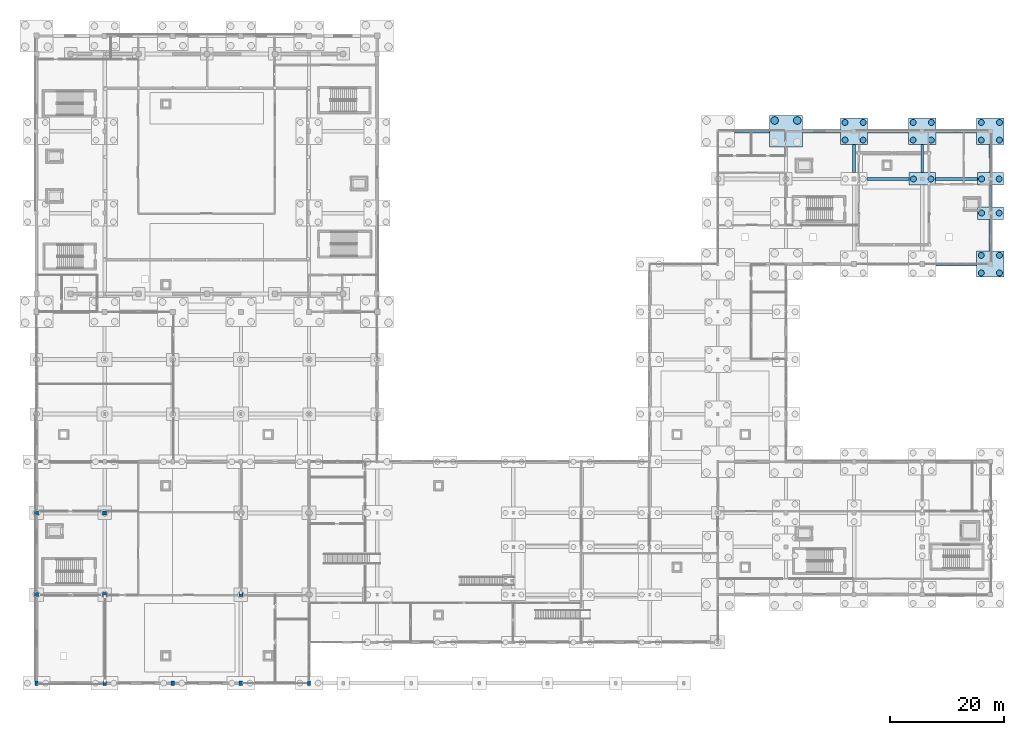
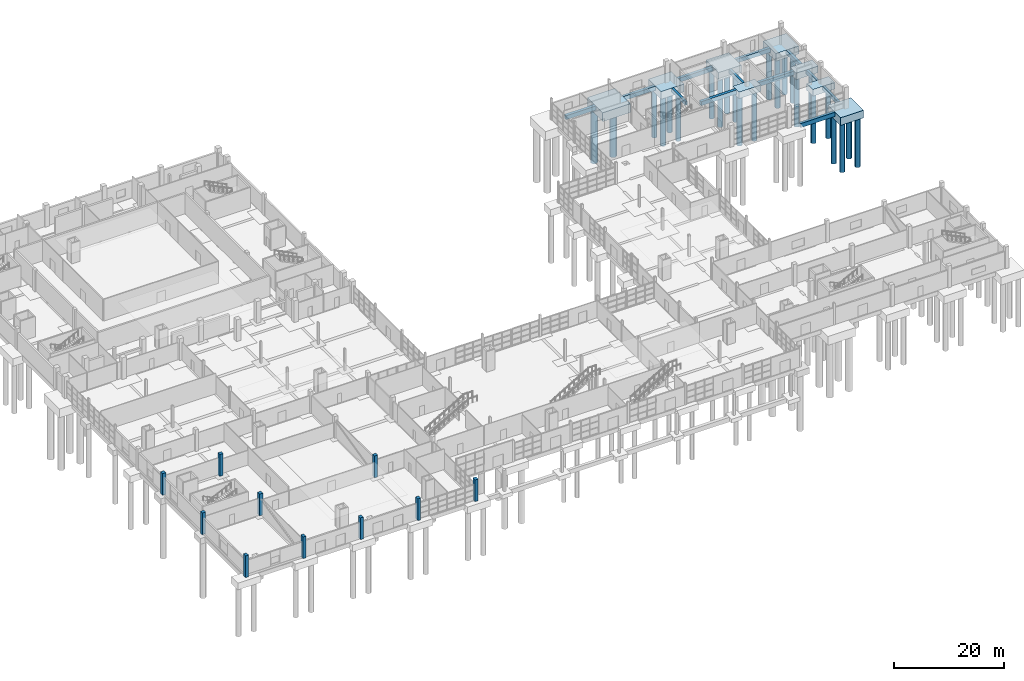
# One storey, part 6 of 82: 24 piles, 20 footings, 10 columns.
"""IFC4 building model written with IfcOpenShell, lengths in metres."""

import ifcopenshell
import ifcopenshell.guid

model = None  # the IFC model being written
_history = None  # IfcOwnerHistory: only IFC2X3 demands one
_inside = {}  # id of a spatial element -> (the spatial element, [elements in it])
_under = {}  # id of a project, library or spatial element -> (it, [spatial elements below it])
_declared = {}  # id of a project -> (the project, [libraries it declares])
_typed = {}  # id of a type object -> (the type object, [elements of that type])
_made_of = {}  # id of a material, layer set ... -> (it, [elements and type objects made of it])


def new_model(schema):
    """Start an empty IFC model of exactly this schema.

    Asked for "IFC4X3", IfcOpenShell would pick the latest addendum, in which some entities
    have other attributes; the version numbers below select the first issue.
    IFC2X3 requires an IfcOwnerHistory on every rooted entity: one is made here for all.
    """
    global model, _history
    if schema == "IFC4X3":
        model = ifcopenshell.file(schema_version=(4, 3, 0, 0))
    else:
        model = ifcopenshell.file(schema=schema)
    _inside.clear()
    _under.clear()
    _declared.clear()
    _typed.clear()
    _made_of.clear()
    _history = None
    if model.schema == "IFC2X3":
        org = make("IfcOrganization", Name="unknown")
        user = make(
            "IfcPersonAndOrganization",
            ThePerson=make("IfcPerson", FamilyName="unknown"),
            TheOrganization=org,
        )
        app = make(
            "IfcApplication",
            ApplicationDeveloper=org,
            Version="unknown",
            ApplicationFullName="unknown",
            ApplicationIdentifier="unknown",
        )
        _history = make(
            "IfcOwnerHistory",
            OwningUser=user,
            OwningApplication=app,
            ChangeAction="ADDED",
            CreationDate=0,
        )
    return model


def make(cls, **values):
    """One entity of the class cls with the attributes given. An attribute that is None is left unset."""
    return model.create_entity(
        cls, **{name: value for name, value in values.items() if value is not None}
    )


def rooted(cls, **values):
    """An entity with a GlobalId (a new one), such as an element, a storey or a relation."""
    return make(cls, GlobalId=ifcopenshell.guid.new(), OwnerHistory=_history, **values)


def si_unit(unit_type, name, prefix=None):
    """IfcSIUnit, for example si_unit("LENGTHUNIT", "METRE", prefix="MILLI")."""
    return make("IfcSIUnit", UnitType=unit_type, Prefix=prefix, Name=name)


def assignment(units):
    """IfcUnitAssignment: the units of a project."""
    return None if units is None else make("IfcUnitAssignment", Units=units)


def point(xyz):
    """IfcCartesianPoint."""
    return None if xyz is None else make("IfcCartesianPoint", Coordinates=xyz)


def direction(xyz):
    """IfcDirection."""
    return None if xyz is None else make("IfcDirection", DirectionRatios=xyz)


def frame(location, z_axis=None, x_axis=None):
    """IfcAxis2Placement3D, a coordinate frame: its origin and axes. An axis left out is left unset."""
    return make(
        "IfcAxis2Placement3D",
        Location=point(location),
        Axis=direction(z_axis),
        RefDirection=direction(x_axis),
    )


def frame_2d(location, x_axis=None):
    """IfcAxis2Placement2D, a coordinate frame in the plane: its origin and x axis."""
    return make(
        "IfcAxis2Placement2D", Location=point(location), RefDirection=direction(x_axis)
    )


def origin():
    """The frame at (0, 0, 0) with its axes left unset."""
    return frame((0.0, 0.0, 0.0))


def origin_2d():
    """The frame at (0, 0) in the plane with its x axis left unset."""
    return frame_2d((0.0, 0.0))


def place(relative_to, where):
    """IfcLocalPlacement: puts the frame where relative to a parent placement (None: the world)."""
    return make(
        "IfcLocalPlacement", PlacementRelTo=relative_to, RelativePlacement=where
    )


def context(
    kind, dimensions, precision=None, world=None, true_north=None, identifier=None
):
    """IfcGeometricRepresentationContext, for example the 3D "Model" context."""
    return make(
        "IfcGeometricRepresentationContext",
        ContextIdentifier=identifier,
        ContextType=kind,
        CoordinateSpaceDimension=dimensions,
        Precision=precision,
        WorldCoordinateSystem=world,
        TrueNorth=true_north,
    )


def subcontext(parent, identifier, kind, view, scale=None):
    """IfcGeometricRepresentationSubContext, for example "Body" below "Model"."""
    return make(
        "IfcGeometricRepresentationSubContext",
        ContextIdentifier=identifier,
        ContextType=kind,
        ParentContext=parent,
        TargetScale=scale,
        TargetView=view,
    )


def project(units=None, contexts=None):
    """IfcProject with its units and contexts."""
    return rooted(
        "IfcProject",
        Name="project",
        RepresentationContexts=contexts,
        UnitsInContext=assignment(units),
    )


def spatial(cls, under=None, at=None, **own):
    """A site, building, storey or space (cls), placed at a placement, below another one or the project."""
    s = rooted(cls, ObjectPlacement=at, **own)
    if under is not None:
        _under.setdefault(under.id(), (under, []))[1].append(s)
    return s


def profile(cls, at=None, kind="AREA", **sizes):
    """A parametric profile (cls). Its sizes go by their IFC names, for example OverallWidth=200.0."""
    return make(cls, ProfileType=kind, Position=at, **sizes)


def rectangle(**sizes):
    """IfcRectangleProfileDef."""
    return profile("IfcRectangleProfileDef", **sizes)


def circle(**sizes):
    """IfcCircleProfileDef."""
    return profile("IfcCircleProfileDef", **sizes)


def extrude(swept, where, along, depth):
    """IfcExtrudedAreaSolid: the profile swept, set in the frame where, extruded along a direction by depth."""
    return make(
        "IfcExtrudedAreaSolid",
        SweptArea=swept,
        Position=where,
        ExtrudedDirection=direction(along),
        Depth=depth,
    )


def shape(context_of_items, identifier, shape_type, items):
    """IfcShapeRepresentation: the items that make up one representation, for example the "Body"."""
    return make(
        "IfcShapeRepresentation",
        ContextOfItems=context_of_items,
        RepresentationIdentifier=identifier,
        RepresentationType=shape_type,
        Items=items,
    )


def material(Name=None, Category=None):
    """IfcMaterial."""
    return make("IfcMaterial", Name=Name, Category=Category)


def material_profile(
    of_material, cross_section, Name=None, Category=None, Priority=None
):
    """IfcMaterialProfile: a cross section and its material."""
    return make(
        "IfcMaterialProfile",
        Name=Name,
        Material=of_material,
        Profile=cross_section,
        Priority=Priority,
        Category=Category,
    )


def profile_set(profiles, Name=None, composite=None):
    """IfcMaterialProfileSet."""
    return make(
        "IfcMaterialProfileSet",
        Name=Name,
        MaterialProfiles=profiles,
        CompositeProfile=composite,
    )


def made_of(thing, what):
    """Note that an element or type object is made of a material, layer set ...; save() writes the relation."""
    if what is not None:
        _made_of.setdefault(what.id(), (what, []))[1].append(thing)
    return thing


def type_object(cls, material=None, **own):
    """A type object (cls), such as IfcWallType, which elements share."""
    return made_of(rooted(cls, **own), material)


def element(
    cls,
    number,
    at=None,
    inside=None,
    cuts=None,
    type_object=None,
    material=None,
    context=None,
    identifier="Body",
    shape_type=None,
    held_by="IfcProductDefinitionShape",
    body=None,
    shapes=None,
    **own,
):
    """One element of the class cls, such as IfcWall. Its Tag is "e" and its number.

    at: its placement. inside: the storey or other place that contains it. cuts: it is an
    opening in that element (IfcRelVoidsElement). A single representation is given by context,
    identifier, shape_type and body (its items); several are given by shapes. held_by: the class
    of the entity that holds the representations. save() writes the other relations.
    """
    e = rooted(cls, Tag="e%d" % number, ObjectPlacement=at, **own)
    if body is not None:
        shapes = [shape(context, identifier, shape_type, body)]
    if shapes is not None:
        e.Representation = make(held_by, Representations=shapes)
    if inside is not None:
        _inside.setdefault(inside.id(), (inside, []))[1].append(e)
    if cuts is not None:
        rooted(
            "IfcRelVoidsElement", RelatingBuildingElement=cuts, RelatedOpeningElement=e
        )
    if type_object is not None:
        _typed.setdefault(type_object.id(), (type_object, []))[1].append(e)
    return made_of(e, material)


def aggregate(whole, parts):
    """IfcRelAggregates: a whole, such as a stair, and the parts it consists of."""
    return rooted("IfcRelAggregates", RelatingObject=whole, RelatedObjects=parts)


def save(model, path):
    """Write the relations noted so far, then the file.

    IfcRelAggregates (storeys below a building ...), IfcRelContainedInSpatialStructure (elements
    in a storey), IfcRelDefinesByType, IfcRelAssociatesMaterial and IfcRelDeclares: one each for
    every whole, place, type object, material and project.
    """
    for whole, parts in _under.values():
        aggregate(whole, parts)
    for where, things in _inside.values():
        rooted(
            "IfcRelContainedInSpatialStructure",
            RelatedElements=things,
            RelatingStructure=where,
        )
    for kind, things in _typed.values():
        rooted("IfcRelDefinesByType", RelatedObjects=things, RelatingType=kind)
    for what, things in _made_of.values():
        rooted("IfcRelAssociatesMaterial", RelatedObjects=things, RelatingMaterial=what)
    for by, libraries in _declared.values():
        rooted("IfcRelDeclares", RelatingContext=by, RelatedDefinitions=libraries)
    model.write(path)


model = new_model("IFC4")

# Units and contexts
model_context = context("Model", 3, precision=1e-05, world=origin(), true_north=direction((0.0, 1.0)))
body_context = subcontext(model_context, "Body", "Model", "MODEL_VIEW")
ifc_project = project(units=[si_unit("LENGTHUNIT", "METRE"), si_unit("AREAUNIT", "SQUARE_METRE"), si_unit("VOLUMEUNIT", "CUBIC_METRE"), si_unit("PLANEANGLEUNIT", "RADIAN"), si_unit("MASSUNIT", "GRAM", prefix="KILO")], contexts=[model_context])

# Site, building, storey
site_placement = place(None, origin())
site = spatial("IfcSite", under=ifc_project, at=site_placement, CompositionType="ELEMENT")
building_placement = place(site_placement, origin())
building = spatial("IfcBuilding", under=site, at=building_placement, Name="Kelmvaro Bay Concert Hall", CompositionType="ELEMENT")
storey_placement = place(building_placement, origin())
storey = spatial("IfcBuildingStorey", under=building, at=storey_placement, Name="L00", CompositionType="ELEMENT", Elevation=0.0)

# Footings
ifc_material_1 = material(Name="Concrete C35/45", Category="concrete")
footing_type_1 = type_object("IfcFootingType", Name="Grade Tie Beam 500x800", PredefinedType="FOOTING_BEAM", material=ifc_material_1)
for number, where, z_axis, x_axis, name in (
    (1, (144.0, 92.39990234375, -0.7998046875), (0.0, 0.0, 1.0), (0.0, 1.0, 0.0), "Grade Tie Beam FDN-TB-192"),
    (2, (156.0, 92.39990234375, -0.7998046875), (0.0, 0.0, 1.0), (0.0, 1.0, 0.0), "Grade Tie Beam FDN-TB-197"),
):
    element("IfcFooting", number, at=place(storey_placement, frame(where, z_axis=z_axis, x_axis=x_axis)), inside=storey, type_object=footing_type_1, Name=name, PredefinedType="FOOTING_BEAM", context=body_context, shape_type="SweptSolid", body=[
        extrude(rectangle(XDim=5.0, YDim=0.5, at=origin_2d()), origin(), (0.0, 0.0, 1.0), 0.800048828125),
    ])
footing_1_placement = place(storey_placement, frame((168.0, 78.89990234375, -0.7998046875), z_axis=(0.0, 0.0, 1.0), x_axis=(0.0, 1.0, 0.0)))
element("IfcFooting", 3, at=footing_1_placement, inside=storey, type_object=footing_type_1, Name="Grade Tie Beam FDN-TB-201", PredefinedType="FOOTING_BEAM", context=body_context, shape_type="SweptSolid", body=[
    extrude(rectangle(XDim=5.60009765625, YDim=0.5, at=origin_2d()), origin(), (0.0, 0.0, 1.0), 0.800048828125),
])
footing_2_placement = place(storey_placement, frame((168.0, 85.800048828125, -0.7998046875), z_axis=(0.0, 0.0, 1.0), x_axis=(0.0, 1.0, 0.0)))
element("IfcFooting", 4, at=footing_2_placement, inside=storey, type_object=footing_type_1, Name="Grade Tie Beam FDN-TB-202", PredefinedType="FOOTING_BEAM", context=body_context, shape_type="SweptSolid", body=[
    extrude(rectangle(XDim=3.800048828125, YDim=0.5, at=origin_2d()), origin(), (0.0, 0.0, 1.0), 0.800048828125),
])
footing_3_placement = place(storey_placement, frame((168.0, 92.39990234375, -0.7998046875), z_axis=(0.0, 0.0, 1.0), x_axis=(0.0, 1.0, 0.0)))
element("IfcFooting", 5, at=footing_3_placement, inside=storey, type_object=footing_type_1, Name="Grade Tie Beam FDN-TB-203", PredefinedType="FOOTING_BEAM", context=body_context, shape_type="SweptSolid", body=[
    extrude(rectangle(XDim=5.0, YDim=0.5, at=origin_2d()), origin(), (0.0, 0.0, 1.0), 0.800048828125),
])
ifc_material_2 = material(Name="Concrete C35/45", Category="concrete")
footing_type_2 = type_object("IfcFootingType", Name="Grade Tie Beam 600x900", PredefinedType="FOOTING_BEAM", material=ifc_material_2)
footing_4_placement = place(storey_placement, frame((162.0, 73.800048828125, -0.89990234375), z_axis=(0.0, 0.0, 1.0), x_axis=(1.0, 0.0, 0.0)))
element("IfcFooting", 6, at=footing_4_placement, inside=storey, type_object=footing_type_2, Name="Grade Tie Beam FDN-TB-084", PredefinedType="FOOTING_BEAM", context=body_context, shape_type="SweptSolid", body=[
    extrude(rectangle(XDim=7.199951171875, YDim=0.60009765625, at=origin_2d()), origin(), (0.0, 0.0, 1.0), 0.89990234375),
])
for number, where, z_axis, x_axis, name in (
    (7, (150.0, 88.800048828125, -0.89990234375), (0.0, 0.0, 1.0), (1.0, 0.0, 0.0), "Grade Tie Beam FDN-TB-090"),
    (8, (162.0, 88.800048828125, -0.89990234375), (0.0, 0.0, 1.0), (1.0, 0.0, 0.0), "Grade Tie Beam FDN-TB-091"),
):
    element("IfcFooting", number, at=place(storey_placement, frame(where, z_axis=z_axis, x_axis=x_axis)), inside=storey, type_object=footing_type_2, Name=name, PredefinedType="FOOTING_BEAM", context=body_context, shape_type="SweptSolid", body=[
        extrude(rectangle(XDim=7.39990234375, YDim=0.60009765625, at=origin_2d()), origin(), (0.0, 0.0, 1.0), 0.89990234375),
    ])
footing_5_placement = place(storey_placement, frame((126.0, 97.199951171875, -0.89990234375), z_axis=(0.0, 0.0, 1.0), x_axis=(1.0, 0.0, 0.0)))
element("IfcFooting", 9, at=footing_5_placement, inside=storey, type_object=footing_type_2, Name="Grade Tie Beam FDN-TB-094", PredefinedType="FOOTING_BEAM", context=body_context, shape_type="SweptSolid", body=[
    extrude(rectangle(XDim=6.199951171875, YDim=0.60009765625, at=origin_2d()), origin(), (0.0, 0.0, 1.0), 0.89990234375),
])
footing_6_placement = place(storey_placement, frame((138.25, 97.199951171875, -0.89990234375), z_axis=(0.0, 0.0, 1.0), x_axis=(1.0, 0.0, 0.0)))
element("IfcFooting", 10, at=footing_6_placement, inside=storey, type_object=footing_type_2, Name="Grade Tie Beam FDN-TB-095", PredefinedType="FOOTING_BEAM", context=body_context, shape_type="SweptSolid", body=[
    extrude(rectangle(XDim=6.699951171875, YDim=0.60009765625, at=origin_2d()), origin(), (0.0, 0.0, 1.0), 0.89990234375),
])
for number, where, z_axis, x_axis, name in (
    (11, (150.0, 97.199951171875, -0.89990234375), (0.0, 0.0, 1.0), (1.0, 0.0, 0.0), "Grade Tie Beam FDN-TB-096"),
    (12, (162.0, 97.199951171875, -0.89990234375), (0.0, 0.0, 1.0), (1.0, 0.0, 0.0), "Grade Tie Beam FDN-TB-097"),
):
    element("IfcFooting", number, at=place(storey_placement, frame(where, z_axis=z_axis, x_axis=x_axis)), inside=storey, type_object=footing_type_2, Name=name, PredefinedType="FOOTING_BEAM", context=body_context, shape_type="SweptSolid", body=[
        extrude(rectangle(XDim=7.199951171875, YDim=0.60009765625, at=origin_2d()), origin(), (0.0, 0.0, 1.0), 0.89990234375),
    ])
ifc_material_3 = material(Name="Concrete C35/45", Category="concrete")
footing_type_3 = type_object("IfcFootingType", Name="Pile Cap 4600x2200x1450", PredefinedType="PILE_CAP", material=ifc_material_3)
for number, where, z_axis, x_axis, name in (
    (13, (156.0, 88.800048828125, -1.4501953125), (0.0, 0.0, 1.0), (1.0, 0.0, 0.0), "Pile Cap FDN-PC-047"),
    (14, (168.0, 82.800048828125, -1.4501953125), (0.0, 0.0, 1.0), (1.0, 0.0, 0.0), "Pile Cap FDN-PC-050"),
    (15, (168.0, 88.800048828125, -1.4501953125), (0.0, 0.0, 1.0), (1.0, 0.0, 0.0), "Pile Cap FDN-PC-051"),
):
    element("IfcFooting", number, at=place(storey_placement, frame(where, z_axis=z_axis, x_axis=x_axis)), inside=storey, type_object=footing_type_3, Name=name, PredefinedType="PILE_CAP", context=body_context, shape_type="SweptSolid", body=[
        extrude(rectangle(XDim=4.60009765625, YDim=2.199951171875, at=origin_2d()), origin(), (0.0, 0.0, 1.0), 1.449951171875),
    ])
ifc_material_4 = material(Name="Concrete C35/45", Category="concrete")
footing_type_4 = type_object("IfcFootingType", Name="Pile Cap 4800x4600x1700", PredefinedType="PILE_CAP", material=ifc_material_4)
for number, where, z_axis, x_axis, name in (
    (16, (144.0, 97.199951171875, -1.7001953125), (0.0, 0.0, 1.0), (1.0, 0.0, 0.0), "Pile Cap FDN-PC-045"),
    (17, (156.0, 97.199951171875, -1.7001953125), (0.0, 0.0, 1.0), (1.0, 0.0, 0.0), "Pile Cap FDN-PC-048"),
    (18, (168.0, 73.800048828125, -1.7001953125), (0.0, 0.0, 1.0), (1.0, 0.0, 0.0), "Pile Cap FDN-PC-049"),
    (19, (168.0, 97.199951171875, -1.7001953125), (0.0, 0.0, 1.0), (1.0, 0.0, 0.0), "Pile Cap FDN-PC-052"),
):
    element("IfcFooting", number, at=place(storey_placement, frame(where, z_axis=z_axis, x_axis=x_axis)), inside=storey, type_object=footing_type_4, Name=name, PredefinedType="PILE_CAP", context=body_context, shape_type="SweptSolid", body=[
        extrude(rectangle(XDim=4.800048828125, YDim=4.60009765625, at=origin_2d()), origin(), (0.0, 0.0, 1.0), 1.699951171875),
    ])
ifc_material_5 = material(Name="Concrete C35/45", Category="concrete")
footing_type_5 = type_object("IfcFootingType", Name="Pile Cap 5800x5600x1950", PredefinedType="PILE_CAP", material=ifc_material_5)
footing_7_placement = place(storey_placement, frame((132.0, 97.199951171875, -1.9501953125), z_axis=(0.0, 0.0, 1.0), x_axis=(1.0, 0.0, 0.0)))
element("IfcFooting", 20, at=footing_7_placement, inside=storey, type_object=footing_type_5, Name="Pile Cap FDN-PC-042", PredefinedType="PILE_CAP", context=body_context, shape_type="SweptSolid", body=[
    extrude(rectangle(XDim=5.800048828125, YDim=5.60009765625, at=origin_2d()), origin(), (0.0, 0.0, 1.0), 1.949951171875),
])

# Piles
ifc_material_6 = material(Name="Concrete C35/45", Category="concrete")
ifc_material_profile_1 = material_profile(ifc_material_6, circle(Radius=0.52490234375, at=origin_2d()), Name="PILE-BORED-1050")
ifc_profile_set_1 = profile_set([ifc_material_profile_1], Name="Concrete C35/45")
pile_type_1 = type_object("IfcPileType", Name="Rock Shaft Bored Pile D1050", PredefinedType="BORED", material=ifc_profile_set_1)
for number, where, z_axis, x_axis, name in (
    (21, (142.39990234375, 95.64990234375, -1.60009765625), (0.0, 0.0, -1.0), (1.0, 0.0, 0.0), "Bored Rock Shaft FDN-BP-0123"),
    (22, (145.60009765625, 95.64990234375, -1.60009765625), (0.0, 0.0, -1.0), (1.0, 0.0, 0.0), "Bored Rock Shaft FDN-BP-0124"),
    (23, (142.39990234375, 98.75, -1.60009765625), (0.0, 0.0, -1.0), (1.0, 0.0, 0.0), "Bored Rock Shaft FDN-BP-0125"),
    (24, (145.60009765625, 98.75, -1.60009765625), (0.0, 0.0, -1.0), (1.0, 0.0, 0.0), "Bored Rock Shaft FDN-BP-0126"),
):
    element("IfcPile", number, at=place(storey_placement, frame(where, z_axis=z_axis, x_axis=x_axis)), inside=storey, type_object=pile_type_1, Name=name, PredefinedType="BORED", context=body_context, shape_type="SweptSolid", body=[
        extrude(circle(Radius=0.52490234375, at=origin_2d()), origin(), (0.0, 0.0, 1.0), 10.89990234375),
    ])
for number, where, z_axis, x_axis, name in (
    (25, (154.449951171875, 88.800048828125, -1.35009765625), (0.0, 0.0, -1.0), (1.0, 0.0, 0.0), "Bored Rock Shaft FDN-BP-0131"),
    (26, (157.550048828125, 88.800048828125, -1.35009765625), (0.0, 0.0, -1.0), (1.0, 0.0, 0.0), "Bored Rock Shaft FDN-BP-0132"),
):
    element("IfcPile", number, at=place(storey_placement, frame(where, z_axis=z_axis, x_axis=x_axis)), inside=storey, type_object=pile_type_1, Name=name, PredefinedType="BORED", context=body_context, shape_type="SweptSolid", body=[
        extrude(circle(Radius=0.52490234375, at=origin_2d()), origin(), (0.0, 0.0, 1.0), 11.14990234375),
    ])
for number, where, z_axis, x_axis, name in (
    (27, (154.39990234375, 95.64990234375, -1.60009765625), (0.0, 0.0, -1.0), (1.0, 0.0, 0.0), "Bored Rock Shaft FDN-BP-0133"),
    (28, (157.60009765625, 95.64990234375, -1.60009765625), (0.0, 0.0, -1.0), (1.0, 0.0, 0.0), "Bored Rock Shaft FDN-BP-0134"),
    (29, (154.39990234375, 98.75, -1.60009765625), (0.0, 0.0, -1.0), (1.0, 0.0, 0.0), "Bored Rock Shaft FDN-BP-0135"),
    (30, (157.60009765625, 98.75, -1.60009765625), (0.0, 0.0, -1.0), (1.0, 0.0, 0.0), "Bored Rock Shaft FDN-BP-0136"),
    (31, (166.39990234375, 72.25, -1.60009765625), (0.0, 0.0, -1.0), (1.0, 0.0, 0.0), "Bored Rock Shaft FDN-BP-0137"),
    (32, (169.60009765625, 72.25, -1.60009765625), (0.0, 0.0, -1.0), (1.0, 0.0, 0.0), "Bored Rock Shaft FDN-BP-0138"),
    (33, (166.39990234375, 75.35009765625, -1.60009765625), (0.0, 0.0, -1.0), (1.0, 0.0, 0.0), "Bored Rock Shaft FDN-BP-0139"),
    (34, (169.60009765625, 75.35009765625, -1.60009765625), (0.0, 0.0, -1.0), (1.0, 0.0, 0.0), "Bored Rock Shaft FDN-BP-0140"),
):
    element("IfcPile", number, at=place(storey_placement, frame(where, z_axis=z_axis, x_axis=x_axis)), inside=storey, type_object=pile_type_1, Name=name, PredefinedType="BORED", context=body_context, shape_type="SweptSolid", body=[
        extrude(circle(Radius=0.52490234375, at=origin_2d()), origin(), (0.0, 0.0, 1.0), 10.89990234375),
    ])
for number, where, z_axis, x_axis, name in (
    (35, (166.449951171875, 82.800048828125, -1.35009765625), (0.0, 0.0, -1.0), (1.0, 0.0, 0.0), "Bored Rock Shaft FDN-BP-0141"),
    (36, (169.550048828125, 82.800048828125, -1.35009765625), (0.0, 0.0, -1.0), (1.0, 0.0, 0.0), "Bored Rock Shaft FDN-BP-0142"),
    (37, (166.449951171875, 88.800048828125, -1.35009765625), (0.0, 0.0, -1.0), (1.0, 0.0, 0.0), "Bored Rock Shaft FDN-BP-0143"),
    (38, (169.550048828125, 88.800048828125, -1.35009765625), (0.0, 0.0, -1.0), (1.0, 0.0, 0.0), "Bored Rock Shaft FDN-BP-0144"),
):
    element("IfcPile", number, at=place(storey_placement, frame(where, z_axis=z_axis, x_axis=x_axis)), inside=storey, type_object=pile_type_1, Name=name, PredefinedType="BORED", context=body_context, shape_type="SweptSolid", body=[
        extrude(circle(Radius=0.52490234375, at=origin_2d()), origin(), (0.0, 0.0, 1.0), 11.14990234375),
    ])
for number, where, z_axis, x_axis, name in (
    (39, (166.39990234375, 95.64990234375, -1.60009765625), (0.0, 0.0, -1.0), (1.0, 0.0, 0.0), "Bored Rock Shaft FDN-BP-0145"),
    (40, (169.60009765625, 95.64990234375, -1.60009765625), (0.0, 0.0, -1.0), (1.0, 0.0, 0.0), "Bored Rock Shaft FDN-BP-0146"),
    (41, (166.39990234375, 98.75, -1.60009765625), (0.0, 0.0, -1.0), (1.0, 0.0, 0.0), "Bored Rock Shaft FDN-BP-0147"),
    (42, (169.60009765625, 98.75, -1.60009765625), (0.0, 0.0, -1.0), (1.0, 0.0, 0.0), "Bored Rock Shaft FDN-BP-0148"),
):
    element("IfcPile", number, at=place(storey_placement, frame(where, z_axis=z_axis, x_axis=x_axis)), inside=storey, type_object=pile_type_1, Name=name, PredefinedType="BORED", context=body_context, shape_type="SweptSolid", body=[
        extrude(circle(Radius=0.52490234375, at=origin_2d()), origin(), (0.0, 0.0, 1.0), 10.89990234375),
    ])
ifc_material_7 = material(Name="Concrete C35/45", Category="concrete")
ifc_material_profile_2 = material_profile(ifc_material_7, circle(Radius=0.675048828125, at=origin_2d()), Name="PILE-BORED-1350")
ifc_profile_set_2 = profile_set([ifc_material_profile_2], Name="Concrete C35/45")
pile_type_2 = type_object("IfcPileType", Name="Rock Shaft Bored Pile D1350", PredefinedType="BORED", material=ifc_profile_set_2)
for number, where, z_axis, x_axis, name in (
    (43, (130.0, 99.10009765625, -1.85009765625), (0.0, 0.0, -1.0), (1.0, 0.0, 0.0), "Bored Rock Shaft FDN-BP-0115"),
    (44, (134.0, 99.10009765625, -1.85009765625), (0.0, 0.0, -1.0), (1.0, 0.0, 0.0), "Bored Rock Shaft FDN-BP-0116"),
):
    element("IfcPile", number, at=place(storey_placement, frame(where, z_axis=z_axis, x_axis=x_axis)), inside=storey, type_object=pile_type_2, Name=name, PredefinedType="BORED", context=body_context, shape_type="SweptSolid", body=[
        extrude(circle(Radius=0.675048828125, at=origin_2d()), origin(), (0.0, 0.0, 1.0), 12.14990234375),
    ])

# Columns
ifc_material_8 = material(Name="Concrete C40/50", Category="concrete")
ifc_material_profile_3 = material_profile(ifc_material_8, rectangle(XDim=0.699951171875, YDim=0.699951171875, at=origin_2d()), Name="RC-COL-700X700")
ifc_profile_set_3 = profile_set([ifc_material_profile_3], Name="Concrete C40/50")
column_type_1 = type_object("IfcColumnType", Name="Pavilion Mid Column RC700x700", PredefinedType="COLUMN", material=ifc_profile_set_3)
for number, where, z_axis, x_axis, name in (
    (45, (0.0, 15.60009765625, 0.0), (0.0, 0.0, 1.0), (1.0, 0.0, 0.0), "L00 Column V3G-0-156"),
    (46, (0.0, 30.0, 0.0), (0.0, 0.0, 1.0), (1.0, 0.0, 0.0), "L00 Column V3G-0-300"),
    (47, (12.0, 15.60009765625, 0.0), (0.0, 0.0, 1.0), (1.0, 0.0, 0.0), "L00 Column V3G-12-156"),
    (48, (12.0, 30.0, 0.0), (0.0, 0.0, 1.0), (1.0, 0.0, 0.0), "L00 Column V3G-12-300"),
    (49, (36.0, 15.60009765625, 0.0), (0.0, 0.0, 1.0), (1.0, 0.0, 0.0), "L00 Column V3G-36-156"),
):
    element("IfcColumn", number, at=place(storey_placement, frame(where, z_axis=z_axis, x_axis=x_axis)), inside=storey, type_object=column_type_1, Name=name, PredefinedType="COLUMN", context=body_context, shape_type="SweptSolid", body=[
        extrude(rectangle(XDim=0.699951171875, YDim=0.699951171875, at=origin_2d()), origin(), (0.0, 0.0, 1.0), 4.800048828125),
    ])
ifc_material_9 = material(Name="Concrete C40/50", Category="concrete")
ifc_material_profile_4 = material_profile(ifc_material_9, rectangle(XDim=0.60009765625, YDim=0.800048828125, at=origin_2d()), Name="RC-COL-800X600")
ifc_profile_set_4 = profile_set([ifc_material_profile_4], Name="Concrete C40/50")
column_type_2 = type_object("IfcColumnType", Name="Perimeter Column RC800x600", PredefinedType="COLUMN", material=ifc_profile_set_4)
for number, where, z_axis, x_axis, name in (
    (50, (0.0, 0.0, 0.0), (0.0, 0.0, 1.0), (1.0, 0.0, 0.0), "L00 Column V3P-0-0"),
    (51, (12.0, 0.0, 0.0), (0.0, 0.0, 1.0), (1.0, 0.0, 0.0), "L00 Column V3P-12-0"),
    (52, (24.0, 0.0, 0.0), (0.0, 0.0, 1.0), (1.0, 0.0, 0.0), "L00 Column V3P-24-0"),
    (53, (36.0, 0.0, 0.0), (0.0, 0.0, 1.0), (1.0, 0.0, 0.0), "L00 Column V3P-36-0"),
    (54, (48.0, 0.0, 0.0), (0.0, 0.0, 1.0), (1.0, 0.0, 0.0), "L00 Column V3P-48-0"),
):
    element("IfcColumn", number, at=place(storey_placement, frame(where, z_axis=z_axis, x_axis=x_axis)), inside=storey, type_object=column_type_2, Name=name, PredefinedType="COLUMN", context=body_context, shape_type="SweptSolid", body=[
        extrude(rectangle(XDim=0.60009765625, YDim=0.800048828125, at=origin_2d()), origin(), (0.0, 0.0, 1.0), 4.800048828125),
    ])

save(model, "model.ifc")
